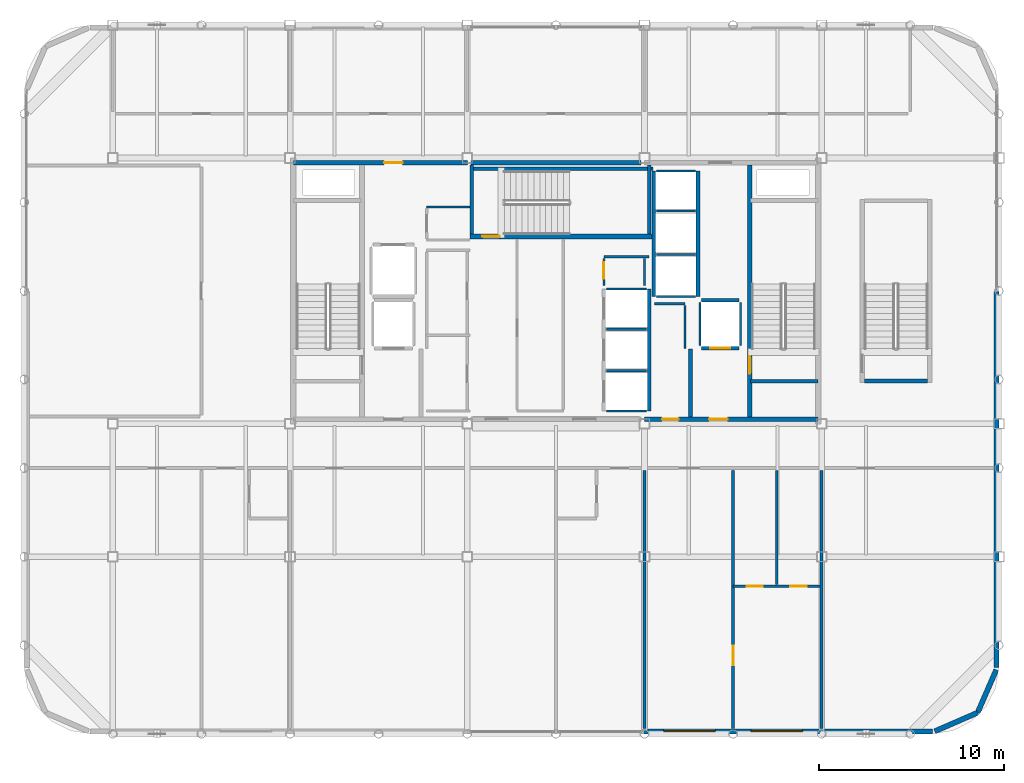
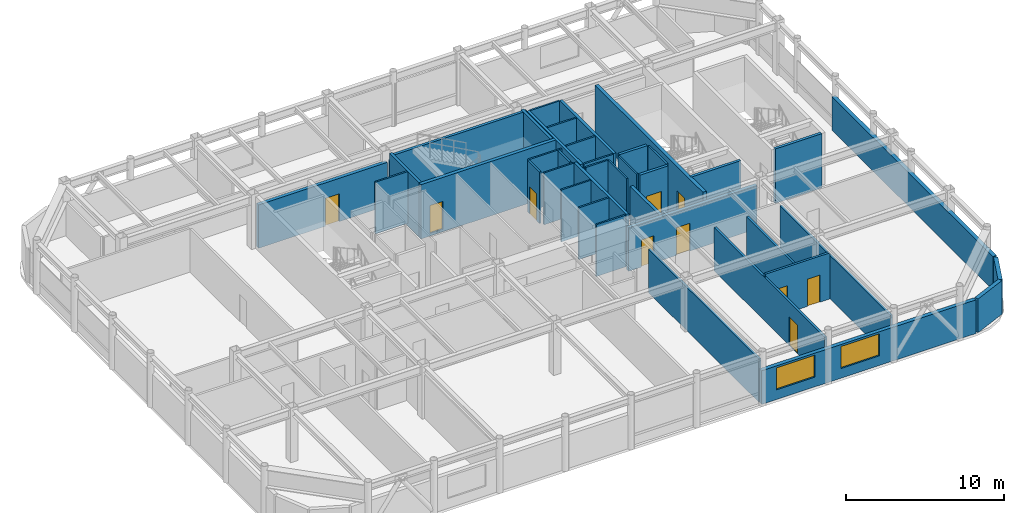
# One storey, part 18 of 21: 41 walls, 10 doors, 2 windows, 12 openings.
"""IFC4 building model written with IfcOpenShell, lengths in metres."""

from ifc_helpers import new_model, si_unit, direction, frame, frame_2d, origin, place, context, subcontext, project, spatial, rectangle, extrude, material, layer, layer_set, type_object, element, fill, save


model = new_model("IFC4")

# Units and contexts
model_context = context("Model", 3, precision=1e-05, world=origin(), true_north=direction((0.0, 1.0)))
body_context = subcontext(model_context, "Body", "Model", "MODEL_VIEW")
ifc_project = project(units=[si_unit("LENGTHUNIT", "METRE"), si_unit("AREAUNIT", "SQUARE_METRE"), si_unit("VOLUMEUNIT", "CUBIC_METRE"), si_unit("PLANEANGLEUNIT", "RADIAN"), si_unit("MASSUNIT", "GRAM", prefix="KILO")], contexts=[model_context])

# Site, building, storey
site_placement = place(None, origin())
site = spatial("IfcSite", under=ifc_project, at=site_placement, CompositionType="ELEMENT")
building_placement = place(site_placement, origin())
building = spatial("IfcBuilding", under=site, at=building_placement, Name="Kallvorn Hotel Tower", CompositionType="ELEMENT")
storey_placement = place(building_placement, frame((0.0, 0.0, 286.39990234375)))
storey = spatial("IfcBuildingStorey", under=building, at=storey_placement, Name="L71", CompositionType="ELEMENT", Elevation=286.39990234375)

# Wall, openings, doors
ifc_material_1 = material(Name="Fire-rated double-layer acoustic gypsum drywall EI 60")
ifc_layer_1 = layer(ifc_material_1, 0.159912109375)
ifc_layer_set_1 = layer_set([ifc_layer_1], Name="WL_DEMISE_160")
wall_type_1 = type_object("IfcWallType", Name="WL_DEMISE_160", PredefinedType="PARTITIONING", material=ifc_layer_set_1)
wall_1_placement = place(storey_placement, frame((9.60009765625, -16.0, 0.0), z_axis=(0.0, 0.0, 1.0), x_axis=(1.0, 0.0, 0.0)))
wall_1 = element("IfcWall", 1, at=wall_1_placement, inside=storey, type_object=wall_type_1, Name="L71 Suite 7103 Ambassador Bedroom Partition", PredefinedType="PARTITIONING", context=body_context, shape_type="SweptSolid", body=[
    extrude(rectangle(XDim=4.719970703125, YDim=0.159912109375, at=frame_2d((2.35986328125, 0.0))), origin(), (0.0, 0.0, 1.0), 3.56005859375),
])
opening_1_placement = place(wall_1_placement, frame((0.75, 0.0, 0.0)))
opening_1 = element("IfcOpeningElement", 2, at=opening_1_placement, cuts=wall_1, Name="Opening BD-I", PredefinedType="OPENING", context=body_context, shape_type="SweptSolid", body=[
    extrude(rectangle(XDim=0.860107421875, YDim=2.10009765625, at=frame_2d((0.43017578125, 1.050048828125))), frame((0.0, 0.094970703125, 0.0), z_axis=(0.0, -1.0, 0.0), x_axis=(1.0, 0.0, 0.0)), (0.0, 0.0, 1.0), 0.18994140625),
])
opening_2_placement = place(wall_1_placement, frame((3.090087890625, 0.0, 0.0)))
opening_2 = element("IfcOpeningElement", 3, at=opening_2_placement, cuts=wall_1, Name="Opening SVD1", PredefinedType="OPENING", context=body_context, shape_type="SweptSolid", body=[
    extrude(rectangle(XDim=0.89990234375, YDim=2.10009765625, at=frame_2d((0.449951171875, 1.050048828125))), frame((0.0, 0.094970703125, 0.0), z_axis=(0.0, -1.0, 0.0), x_axis=(1.0, 0.0, 0.0)), (0.0, 0.0, 1.0), 0.18994140625),
])
ifc_material_2 = material(Name="Solid-core walnut veneer fire-rated timber door leaf", Category="wood")
door_type_1 = type_object("IfcDoorType", Name="DR_BATH_860x2100", OperationType="NOTDEFINED", PredefinedType="DOOR", material=ifc_material_2)
door_1_placement = place(opening_1_placement, origin())
door_1 = element("IfcDoor", 4, at=door_1_placement, inside=storey, type_object=door_type_1, Name="L71 Suite 7103 En-Suite Bathroom Door", OperationType="SINGLE_SWING_RIGHT", OverallHeight=2.10009765625, OverallWidth=0.860107421875, PredefinedType="DOOR", context=body_context, shape_type="SweptSolid", body=[
    extrude(rectangle(XDim=0.860107421875, YDim=2.10009765625, at=frame_2d((0.43017578125, 1.050048828125))), frame((0.0, 0.02490234375, 0.0), z_axis=(0.0, -1.0, 0.0), x_axis=(1.0, 0.0, 0.0)), (0.0, 0.0, 1.0), 0.050048828125),
])
fill(opening_1, door_1)
ifc_material_3 = material(Name="Galvanised painted steel fire-rated door assembly", Category="steel")
door_type_2 = type_object("IfcDoorType", Name="DR_SERV_900x2100", OperationType="NOTDEFINED", PredefinedType="DOOR", material=ifc_material_3)
door_2_placement = place(opening_2_placement, origin())
door_2 = element("IfcDoor", 5, at=door_2_placement, inside=storey, type_object=door_type_2, Name="L71 Suite 7103 Walk-In Dressing Closet Door", OperationType="SINGLE_SWING_RIGHT", OverallHeight=2.10009765625, OverallWidth=0.89990234375, PredefinedType="DOOR", context=body_context, shape_type="SweptSolid", body=[
    extrude(rectangle(XDim=0.89990234375, YDim=2.10009765625, at=frame_2d((0.449951171875, 1.050048828125))), frame((0.0, 0.02490234375, 0.0), z_axis=(0.0, -1.0, 0.0), x_axis=(1.0, 0.0, 0.0)), (0.0, 0.0, 1.0), 0.050048828125),
])
fill(opening_2, door_2)

# Wall
wall_2_placement = place(storey_placement, frame((4.800048828125, -23.7099609375, 0.0), z_axis=(0.0, 0.0, 1.0), x_axis=(0.0, 1.0, 0.0)))
element("IfcWall", 6, at=wall_2_placement, inside=storey, type_object=wall_type_1, Name="L71 Suite 7102 Ambassador Twin Room Partition", PredefinedType="PARTITIONING", context=body_context, shape_type="SweptSolid", body=[
    extrude(rectangle(XDim=13.989990234375, YDim=0.159912109375, at=frame_2d((6.9951171875, 0.0))), origin(), (0.0, 0.0, 1.0), 3.35009765625),
])

# Wall, opening, door
wall_3_placement = place(storey_placement, frame((9.60009765625, -23.7099609375, 0.0), z_axis=(0.0, 0.0, 1.0), x_axis=(0.0, 1.0, 0.0)))
wall_3 = element("IfcWall", 7, at=wall_3_placement, inside=storey, type_object=wall_type_1, Name="L71 Suite 7103 Ambassador Bedroom Partition", PredefinedType="PARTITIONING", context=body_context, shape_type="SweptSolid", body=[
    extrude(rectangle(XDim=13.989990234375, YDim=0.159912109375, at=frame_2d((6.9951171875, 0.0))), origin(), (0.0, 0.0, 1.0), 3.35009765625),
])
opening_3_placement = place(wall_3_placement, frame((3.43505859375, 0.0, 0.0)))
opening_3 = element("IfcOpeningElement", 8, at=opening_3_placement, cuts=wall_3, Name="Opening GD2", PredefinedType="OPENING", context=body_context, shape_type="SweptSolid", body=[
    extrude(rectangle(XDim=1.050048828125, YDim=2.199951171875, at=frame_2d((0.52490234375, 1.10009765625))), frame((0.0, 0.094970703125, 0.0), z_axis=(0.0, -1.0, 0.0), x_axis=(1.0, 0.0, 0.0)), (0.0, 0.0, 1.0), 0.18994140625),
])
ifc_material_4 = material(Name="Solid-core walnut veneer fire-rated timber door leaf", Category="wood")
door_type_3 = type_object("IfcDoorType", Name="DR_SUITE_1050x2200", OperationType="NOTDEFINED", PredefinedType="DOOR", material=ifc_material_4)
door_3_placement = place(opening_3_placement, origin())
door_3 = element("IfcDoor", 9, at=door_3_placement, inside=storey, type_object=door_type_3, Name="L71 Suite 7103 Ambassador Bedroom Door", OperationType="SINGLE_SWING_RIGHT", OverallHeight=2.199951171875, OverallWidth=1.050048828125, PredefinedType="DOOR", context=body_context, shape_type="SweptSolid", body=[
    extrude(rectangle(XDim=1.050048828125, YDim=2.199951171875, at=frame_2d((0.52490234375, 1.10009765625))), frame((0.0, 0.02490234375, 0.0), z_axis=(0.0, -1.0, 0.0), x_axis=(1.0, 0.0, 0.0)), (0.0, 0.0, 1.0), 0.050048828125),
])
fill(opening_3, door_3)

# Walls
wall_4_placement = place(storey_placement, frame((14.39990234375, -23.7099609375, 0.0), z_axis=(0.0, 0.0, 1.0), x_axis=(0.0, 1.0, 0.0)))
element("IfcWall", 10, at=wall_4_placement, inside=storey, type_object=wall_type_1, Name="L71 Suite 7103 Ambassador Bedroom Partition", PredefinedType="PARTITIONING", context=body_context, shape_type="SweptSolid", body=[
    extrude(rectangle(XDim=13.989990234375, YDim=0.159912109375, at=frame_2d((6.9951171875, 0.0))), origin(), (0.0, 0.0, 1.0), 3.35009765625),
])
ifc_material_5 = material(Name="Precast basalt-clad insulated concrete wall C40/50", Category="masonry")
ifc_layer_2 = layer(ifc_material_5, 0.280029296875)
ifc_layer_set_2 = layer_set([ifc_layer_2], Name="WL_EXT_LOGGIA_280")
wall_type_2 = type_object("IfcWallType", Name="WL_EXT_LOGGIA_280", PredefinedType="SOLIDWALL", material=ifc_layer_set_2)
for number, where, z_axis, x_axis, name in (
    (11, (20.520751953125, -23.85791015625, 0.0), (0.0, 0.0, 1.0), (0.917076177656, 0.398712031894, 0.0), "L71 Rounded Corner Exterior Wall SE1"),
    (12, (22.8466796875, -22.8466796875, 0.0), (0.0, 0.0, 1.0), (0.398712031894, 0.917076177656, 0.0), "L71 Rounded Corner Exterior Wall SE2"),
):
    element("IfcWall", number, at=place(storey_placement, frame(where, z_axis=z_axis, x_axis=x_axis)), inside=storey, type_object=wall_type_2, Name=name, PredefinedType="SOLIDWALL", context=body_context, shape_type="SweptSolid", body=[
        extrude(rectangle(XDim=2.5361328125, YDim=0.280029296875, at=frame_2d((1.26806640625, 0.0))), origin(), (0.0, 0.0, 1.0), 2.60009765625),
    ])

# Wall, openings, windows
wall_5_placement = place(storey_placement, frame((4.75, -23.860107421875, 0.0), z_axis=(0.0, 0.0, 1.0), x_axis=(1.0, 0.0, 0.0)))
wall_5 = element("IfcWall", 13, at=wall_5_placement, inside=storey, type_object=wall_type_2, Name="L71 Exterior Envelope Wall EW-L71-SE", PredefinedType="SOLIDWALL", context=body_context, shape_type="SweptSolid", body=[
    extrude(rectangle(XDim=15.64990234375, YDim=0.280029296875, at=frame_2d((7.824951171875, 0.0))), origin(), (0.0, 0.0, 1.0), 2.60009765625),
])
opening_4_placement = place(wall_5_placement, frame((1.090087890625, 0.0, 0.75)))
opening_4 = element("IfcOpeningElement", 14, at=opening_4_placement, cuts=wall_5, Name="Opening W08A", PredefinedType="OPENING", context=body_context, shape_type="SweptSolid", body=[
    extrude(rectangle(XDim=2.800048828125, YDim=1.699951171875, at=frame_2d((1.39990234375, 0.85009765625))), frame((0.0, 0.155029296875, 0.0), z_axis=(0.0, -1.0, 0.0), x_axis=(1.0, 0.0, 0.0)), (0.0, 0.0, 1.0), 0.31005859375),
])
opening_5_placement = place(wall_5_placement, frame((5.81005859375, 0.0, 0.75)))
opening_5 = element("IfcOpeningElement", 15, at=opening_5_placement, cuts=wall_5, Name="Opening W08A", PredefinedType="OPENING", context=body_context, shape_type="SweptSolid", body=[
    extrude(rectangle(XDim=2.800048828125, YDim=1.699951171875, at=frame_2d((1.39990234375, 0.85009765625))), frame((0.0, 0.155029296875, 0.0), z_axis=(0.0, -1.0, 0.0), x_axis=(1.0, 0.0, 0.0)), (0.0, 0.0, 1.0), 0.31005859375),
])
ifc_material_6 = material(Name="Triple-glazed low-e acoustic solar-control dark glass", Category="glass")
window_type = type_object("IfcWindowType", Name="WN_SUM_2800x1700", PartitioningType="SINGLE_PANEL", PredefinedType="WINDOW", material=ifc_material_6)
window_1_placement = place(opening_4_placement, origin())
window_1 = element("IfcWindow", 16, at=window_1_placement, inside=storey, type_object=window_type, Name="L71 Guestroom Exterior Window 02", OverallHeight=1.699951171875, OverallWidth=2.800048828125, PartitioningType="SINGLE_PANEL", PredefinedType="WINDOW", context=body_context, shape_type="SweptSolid", body=[
    extrude(rectangle(XDim=2.800048828125, YDim=1.699951171875, at=frame_2d((1.39990234375, 0.85009765625))), frame((0.0, 0.030029296875, 0.0), z_axis=(0.0, -1.0, 0.0), x_axis=(1.0, 0.0, 0.0)), (0.0, 0.0, 1.0), 0.06005859375),
])
fill(opening_4, window_1)
window_2_placement = place(opening_5_placement, origin())
window_2 = element("IfcWindow", 17, at=window_2_placement, inside=storey, type_object=window_type, Name="L71 Guestroom Exterior Window 03", OverallHeight=1.699951171875, OverallWidth=2.800048828125, PartitioningType="SINGLE_PANEL", PredefinedType="WINDOW", context=body_context, shape_type="SweptSolid", body=[
    extrude(rectangle(XDim=2.800048828125, YDim=1.699951171875, at=frame_2d((1.39990234375, 0.85009765625))), frame((0.0, 0.030029296875, 0.0), z_axis=(0.0, -1.0, 0.0), x_axis=(1.0, 0.0, 0.0)), (0.0, 0.0, 1.0), 0.06005859375),
])
fill(opening_5, window_2)

# Walls
wall_6_placement = place(storey_placement, frame((23.860107421875, -20.39990234375, 0.0), z_axis=(0.0, 0.0, 1.0), x_axis=(0.0, 1.0, 0.0)))
element("IfcWall", 18, at=wall_6_placement, inside=storey, type_object=wall_type_2, Name="L71 Exterior Envelope Wall EW-L71-ES", PredefinedType="SOLIDWALL", context=body_context, shape_type="SweptSolid", body=[
    extrude(rectangle(XDim=20.3798828125, YDim=0.280029296875, at=frame_2d((10.18994140625, 0.0))), origin(), (0.0, 0.0, 1.0), 2.60009765625),
])
ifc_material_7 = material(Name="Concrete C40/50", Category="concrete")
ifc_layer_3 = layer(ifc_material_7, 0.219970703125)
ifc_layer_set_3 = layer_set([ifc_layer_3], Name="WL_FFL_220")
wall_type_3 = type_object("IfcWallType", Name="WL_FFL_220", PredefinedType="SOLIDWALL", material=ifc_layer_set_3)
wall_7_placement = place(storey_placement, frame((7.300048828125, -6.820068359375, 0.0), z_axis=(0.0, 0.0, 1.0), x_axis=(0.0, 1.0, 0.0)))
element("IfcWall", 19, at=wall_7_placement, inside=storey, type_object=wall_type_3, Name="L71 Firefighting Lobby East Divider Wall", PredefinedType="SOLIDWALL", context=body_context, shape_type="SweptSolid", body=[
    extrude(rectangle(XDim=3.670166015625, YDim=0.219970703125, at=frame_2d((1.8349609375, 0.0))), origin(), (0.0, 0.0, 1.0), 3.35009765625),
])
ifc_material_8 = material(Name="Concrete C40/50", Category="concrete")
ifc_layer_4 = layer(ifc_material_8, 0.199951171875)
ifc_layer_set_4 = layer_set([ifc_layer_4], Name="WL_HOIST_200")
wall_type_4 = type_object("IfcWallType", Name="WL_HOIST_200", PredefinedType="SOLIDWALL", material=ifc_layer_set_4)
wall_8_placement = place(storey_placement, frame((10.550048828125, -4.89990234375, -0.199951171875), z_axis=(0.0, 0.0, 1.0), x_axis=(1.0, 0.0, 0.0)))
element("IfcWall", 20, at=wall_8_placement, inside=storey, type_object=wall_type_4, Name="L71 Stair ST2 South Wall", PredefinedType="SOLIDWALL", context=body_context, shape_type="SweptSolid", body=[
    extrude(rectangle(XDim=3.64990234375, YDim=0.199951171875, at=frame_2d((1.824951171875, 0.0))), origin(), (0.0, 0.0, 1.0), 4.199951171875),
])
wall_9_placement = place(storey_placement, frame((-4.64990234375, 6.610107421875, -0.199951171875), z_axis=(0.0, 0.0, 1.0), x_axis=(1.0, 0.0, 0.0)))
element("IfcWall", 21, at=wall_9_placement, inside=storey, type_object=wall_type_4, Name="L71 Stair ST3 Shaft North Wall", PredefinedType="SOLIDWALL", context=body_context, shape_type="SweptSolid", body=[
    extrude(rectangle(XDim=9.89990234375, YDim=0.199951171875, at=frame_2d((4.949951171875, 0.0))), origin(), (0.0, 0.0, 1.0), 4.199951171875),
])
for number, where, z_axis, x_axis, name in (
    (22, (-4.550048828125, 3.080078125, -0.199951171875), (0.0, 0.0, 1.0), (0.0, 1.0, 0.0), "L71 Stair ST3 West Wall"),
    (23, (5.06005859375, 3.080078125, -0.199951171875), (0.0, 0.0, 1.0), (0.0, 1.0, 0.0), "L71 Stair ST3 East Wall"),
):
    element("IfcWall", number, at=place(storey_placement, frame(where, z_axis=z_axis, x_axis=x_axis)), inside=storey, type_object=wall_type_4, Name=name, PredefinedType="SOLIDWALL", context=body_context, shape_type="SweptSolid", body=[
        extrude(rectangle(XDim=3.739990234375, YDim=0.199951171875, at=frame_2d((1.8701171875, 0.0))), origin(), (0.0, 0.0, 1.0), 4.199951171875),
    ])
wall_10_placement = place(storey_placement, frame((16.72998046875, -4.8798828125, -0.199951171875), z_axis=(0.0, 0.0, 1.0), x_axis=(1.0, 0.0, 0.0)))
element("IfcWall", 24, at=wall_10_placement, inside=storey, type_object=wall_type_4, Name="L71 Summit Exit Stair ST4 South Wall", PredefinedType="SOLIDWALL", context=body_context, shape_type="SweptSolid", body=[
    extrude(rectangle(XDim=3.39990234375, YDim=0.199951171875, at=frame_2d((1.699951171875, 0.0))), origin(), (0.0, 0.0, 1.0), 4.199951171875),
])
wall_11_placement = place(storey_placement, frame((5.050048828125, -6.5, 0.0), z_axis=(0.0, 0.0, 1.0), x_axis=(0.0, 1.0, 0.0)))
element("IfcWall", 25, at=wall_11_placement, inside=storey, type_object=wall_type_4, Name="L71 Lift Bank B3A Rear Shaft Wall", PredefinedType="SOLIDWALL", context=body_context, shape_type="SweptSolid", body=[
    extrude(rectangle(XDim=6.60009765625, YDim=0.199951171875, at=frame_2d((3.300048828125, 0.0))), origin(), (0.0, 0.0, 1.0), 4.0),
])
for number, where, z_axis, x_axis, name in (
    (26, (7.699951171875, -0.300048828125, 0.0), (0.0, 0.0, 1.0), (0.0, 1.0, 0.0), "L71 Lift Bank OBS Landing Wall"),
    (27, (5.300048828125, -0.300048828125, 0.0), (0.0, 0.0, 1.0), (0.0, 1.0, 0.0), "L71 Lift Bank OBS Rear Shaft Wall"),
):
    element("IfcWall", number, at=place(storey_placement, frame(where, z_axis=z_axis, x_axis=x_axis)), inside=storey, type_object=wall_type_4, Name=name, PredefinedType="SOLIDWALL", context=body_context, shape_type="SweptSolid", body=[
        extrude(rectangle(XDim=6.800048828125, YDim=0.199951171875, at=frame_2d((3.39990234375, 0.0))), origin(), (0.0, 0.0, 1.0), 4.0),
    ])

# Wall, opening, door
wall_12_placement = place(storey_placement, frame((7.8798828125, -3.10009765625, 0.0), z_axis=(0.0, 0.0, 1.0), x_axis=(1.0, 0.0, 0.0)))
wall_12 = element("IfcWall", 28, at=wall_12_placement, inside=storey, type_object=wall_type_4, Name="L71 FL-2 Landing Wall", PredefinedType="SOLIDWALL", context=body_context, shape_type="SweptSolid", body=[
    extrude(rectangle(XDim=2.0400390625, YDim=0.199951171875, at=frame_2d((1.02001953125, 0.0))), origin(), (0.0, 0.0, 1.0), 4.0),
])
opening_6_placement = place(wall_12_placement, frame((0.469970703125, 0.0, 0.0)))
opening_6 = element("IfcOpeningElement", 29, at=opening_6_placement, cuts=wall_12, Name="Opening LD-FL-2", PredefinedType="OPENING", context=body_context, shape_type="SweptSolid", body=[
    extrude(rectangle(XDim=1.10009765625, YDim=2.199951171875, at=frame_2d((0.550048828125, 1.10009765625))), frame((0.0, 0.114990234375, 0.0), z_axis=(0.0, -1.0, 0.0), x_axis=(1.0, 0.0, 0.0)), (0.0, 0.0, 1.0), 0.22998046875),
])
ifc_material_9 = material(Name="Brushed stainless-steel automatic sliding lift landing door", Category="steel")
door_type_4 = type_object("IfcDoorType", Name="LD_PASS_1100x2200", OperationType="SLIDING_TO_LEFT", PredefinedType="DOOR", material=ifc_material_9)
door_4_placement = place(opening_6_placement, origin())
door_4 = element("IfcDoor", 30, at=door_4_placement, inside=storey, type_object=door_type_4, Name="L71 Lift Landing Sliding Door LD-FL-2", OperationType="SLIDING_TO_LEFT", OverallHeight=2.199951171875, OverallWidth=1.10009765625, PredefinedType="DOOR", context=body_context, shape_type="SweptSolid", body=[
    extrude(rectangle(XDim=1.10009765625, YDim=2.199951171875, at=frame_2d((0.550048828125, 1.10009765625))), frame((0.0, 0.02490234375, 0.0), z_axis=(0.0, -1.0, 0.0), x_axis=(1.0, 0.0, 0.0)), (0.0, 0.0, 1.0), 0.050048828125),
])
fill(opening_6, door_4)

# Walls
wall_13_placement = place(storey_placement, frame((7.8798828125, -0.5, 0.0), z_axis=(0.0, 0.0, 1.0), x_axis=(1.0, 0.0, 0.0)))
element("IfcWall", 31, at=wall_13_placement, inside=storey, type_object=wall_type_4, Name="L71 FL-2 Rear Shaft Wall", PredefinedType="SOLIDWALL", context=body_context, shape_type="SweptSolid", body=[
    extrude(rectangle(XDim=2.0400390625, YDim=0.199951171875, at=frame_2d((1.02001953125, 0.0))), origin(), (0.0, 0.0, 1.0), 4.0),
])
ifc_material_10 = material(Name="Fire-rated double-layer acoustic gypsum drywall EI 60")
ifc_layer_5 = layer(ifc_material_10, 0.1201171875)
ifc_layer_set_5 = layer_set([ifc_layer_5], Name="WL_INT_120")
wall_type_5 = type_object("IfcWallType", Name="WL_INT_120", PredefinedType="PARTITIONING", material=ifc_layer_set_5)
for number, where, z_axis, x_axis, name in (
    (32, (2.739990234375, -6.5, 0.0), (0.0, 0.0, 1.0), (1.0, 0.0, 0.0), "L71 Lift Bank B3A South Closure Wall"),
    (33, (2.739990234375, -4.324951171875, 0.0), (0.0, 0.0, 1.0), (1.0, 0.0, 0.0), "L71 PL-09 Hoistway Divider"),
    (34, (2.739990234375, -2.074951171875, 0.0), (0.0, 0.0, 1.0), (1.0, 0.0, 0.0), "L71 PL-10 Hoistway Divider"),
    (35, (2.739990234375, 0.10009765625, 0.0), (0.0, 0.0, 1.0), (1.0, 0.0, 0.0), "L71 PL-11 Hoistway Divider"),
):
    element("IfcWall", number, at=place(storey_placement, frame(where, z_axis=z_axis, x_axis=x_axis)), inside=storey, type_object=wall_type_5, Name=name, PredefinedType="PARTITIONING", context=body_context, shape_type="SweptSolid", body=[
        extrude(rectangle(XDim=2.169921875, YDim=0.1201171875, at=frame_2d((1.0849609375, 0.0))), origin(), (0.0, 0.0, 1.0), 4.0),
    ])
for number, where, z_axis, x_axis, name in (
    (36, (5.43994140625, -0.300048828125, 0.0), (0.0, 0.0, 1.0), (1.0, 0.0, 0.0), "L71 Lift Bank OBS South Closure Wall"),
    (37, (5.43994140625, 1.97509765625, 0.0), (0.0, 0.0, 1.0), (1.0, 0.0, 0.0), "L71 OB-01 Hoistway Divider"),
    (38, (5.43994140625, 4.324951171875, 0.0), (0.0, 0.0, 1.0), (1.0, 0.0, 0.0), "L71 OB-02 Hoistway Divider"),
    (39, (5.43994140625, 6.5, 0.0), (0.0, 0.0, 1.0), (1.0, 0.0, 0.0), "L71 OB-03 Hoistway Divider"),
):
    element("IfcWall", number, at=place(storey_placement, frame(where, z_axis=z_axis, x_axis=x_axis)), inside=storey, type_object=wall_type_5, Name=name, PredefinedType="PARTITIONING", context=body_context, shape_type="SweptSolid", body=[
        extrude(rectangle(XDim=2.1201171875, YDim=0.1201171875, at=frame_2d((1.06005859375, 0.0))), origin(), (0.0, 0.0, 1.0), 4.0),
    ])
for number, where, z_axis, x_axis, name in (
    (40, (7.800048828125, -2.9599609375, 0.0), (0.0, 0.0, 1.0), (0.0, 1.0, 0.0), "L71 FL-2 West Shaft Wall"),
    (41, (10.0, -2.9599609375, 0.0), (0.0, 0.0, 1.0), (0.0, 1.0, 0.0), "L71 FL-2 East Shaft Wall"),
):
    element("IfcWall", number, at=place(storey_placement, frame(where, z_axis=z_axis, x_axis=x_axis)), inside=storey, type_object=wall_type_5, Name=name, PredefinedType="PARTITIONING", context=body_context, shape_type="SweptSolid", body=[
        extrude(rectangle(XDim=2.320068359375, YDim=0.1201171875, at=frame_2d((1.16015625, 0.0))), origin(), (0.0, 0.0, 1.0), 4.0),
    ])
wall_14_placement = place(storey_placement, frame((5.35009765625, -0.699951171875, 0.0), z_axis=(0.0, 0.0, 1.0), x_axis=(1.0, 0.0, 0.0)))
element("IfcWall", 42, at=wall_14_placement, inside=storey, type_object=wall_type_5, Name="L71 Core Utility and Meter Room Partition", PredefinedType="PARTITIONING", context=body_context, shape_type="SweptSolid", body=[
    extrude(rectangle(XDim=1.64990234375, YDim=0.1201171875, at=frame_2d((0.824951171875, 0.0))), origin(), (0.0, 0.0, 1.0), 4.0),
])
wall_15_placement = place(storey_placement, frame((2.60009765625, 1.85009765625, 0.0), z_axis=(0.0, 0.0, 1.0), x_axis=(1.0, 0.0, 0.0)))
element("IfcWall", 43, at=wall_15_placement, inside=storey, type_object=wall_type_5, Name="L71 East Core Ice Pantry Partition", PredefinedType="PARTITIONING", context=body_context, shape_type="SweptSolid", body=[
    extrude(rectangle(XDim=2.449951171875, YDim=0.1201171875, at=frame_2d((1.22509765625, 0.0))), origin(), (0.0, 0.0, 1.0), 4.0),
])
wall_16_placement = place(storey_placement, frame((-7.0, 4.550048828125, 0.0), z_axis=(0.0, 0.0, 1.0), x_axis=(1.0, 0.0, 0.0)))
element("IfcWall", 44, at=wall_16_placement, inside=storey, type_object=wall_type_5, Name="L71 Recaptured North Valet Closet Partition", PredefinedType="PARTITIONING", context=body_context, shape_type="SweptSolid", body=[
    extrude(rectangle(XDim=2.35009765625, YDim=0.1201171875, at=frame_2d((1.175048828125, 0.0))), origin(), (0.0, 0.0, 1.0), 4.0),
])

# Wall, opening, door
wall_17_placement = place(storey_placement, frame((2.60009765625, 0.300048828125, 0.0), z_axis=(0.0, 0.0, 1.0), x_axis=(0.0, 1.0, 0.0)))
wall_17 = element("IfcWall", 45, at=wall_17_placement, inside=storey, type_object=wall_type_5, Name="L71 East Core Ice Pantry Partition", PredefinedType="PARTITIONING", context=body_context, shape_type="SweptSolid", body=[
    extrude(rectangle(XDim=1.46484375, YDim=0.1201171875, at=frame_2d((0.732421875, 0.0))), origin(), (0.0, 0.0, 1.0), 4.0),
])
opening_7_placement = place(wall_17_placement, frame((0.344970703125, 0.0, 0.0)))
opening_7 = element("IfcOpeningElement", 46, at=opening_7_placement, cuts=wall_17, Name="Opening SVD1", PredefinedType="OPENING", context=body_context, shape_type="SweptSolid", body=[
    extrude(rectangle(XDim=0.89990234375, YDim=2.10009765625, at=frame_2d((0.449951171875, 1.050048828125))), frame((0.0, 0.074951171875, 0.0), z_axis=(0.0, -1.0, 0.0), x_axis=(1.0, 0.0, 0.0)), (0.0, 0.0, 1.0), 0.150146484375),
])
door_5_placement = place(opening_7_placement, origin())
door_5 = element("IfcDoor", 47, at=door_5_placement, inside=storey, type_object=door_type_2, Name="L71 East Core Ice Pantry Door", OperationType="SINGLE_SWING_RIGHT", OverallHeight=2.10009765625, OverallWidth=0.89990234375, PredefinedType="DOOR", context=body_context, shape_type="SweptSolid", body=[
    extrude(rectangle(XDim=0.89990234375, YDim=2.10009765625, at=frame_2d((0.449951171875, 1.050048828125))), frame((0.0, 0.02490234375, 0.0), z_axis=(0.0, -1.0, 0.0), x_axis=(1.0, 0.0, 0.0)), (0.0, 0.0, 1.0), 0.050048828125),
])
fill(opening_7, door_5)

# Walls
wall_18_placement = place(storey_placement, frame((4.800048828125, 0.300048828125, 0.0), z_axis=(0.0, 0.0, 1.0), x_axis=(0.0, 1.0, 0.0)))
element("IfcWall", 48, at=wall_18_placement, inside=storey, type_object=wall_type_5, Name="L71 East Core Ice Pantry Partition", PredefinedType="PARTITIONING", context=body_context, shape_type="SweptSolid", body=[
    extrude(rectangle(XDim=1.46484375, YDim=0.1201171875, at=frame_2d((0.732421875, 0.0))), origin(), (0.0, 0.0, 1.0), 4.0),
])
wall_19_placement = place(storey_placement, frame((7.0, -3.110107421875, 0.0), z_axis=(0.0, 0.0, 1.0), x_axis=(0.0, 1.0, 0.0)))
element("IfcWall", 49, at=wall_19_placement, inside=storey, type_object=wall_type_5, Name="L71 Core Utility and Meter Room Partition", PredefinedType="PARTITIONING", context=body_context, shape_type="SweptSolid", body=[
    extrude(rectangle(XDim=2.3251953125, YDim=0.1201171875, at=frame_2d((1.16259765625, 0.0))), origin(), (0.0, 0.0, 1.0), 4.0),
])
ifc_material_11 = material(Name="Fire-rated double-layer acoustic gypsum drywall EI 60")
ifc_layer_6 = layer(ifc_material_11, 0.14990234375)
ifc_layer_set_6 = layer_set([ifc_layer_6], Name="WL_PART_150")
wall_type_6 = type_object("IfcWallType", Name="WL_PART_150", PredefinedType="PARTITIONING", material=ifc_layer_set_6)
wall_20_placement = place(storey_placement, frame((11.9599609375, -15.9150390625, 0.0), z_axis=(0.0, 0.0, 1.0), x_axis=(0.0, 1.0, 0.0)))
element("IfcWall", 50, at=wall_20_placement, inside=storey, type_object=wall_type_6, Name="L71 Suite 7103 Walk-In Dressing Closet Partition", PredefinedType="PARTITIONING", context=body_context, shape_type="SweptSolid", body=[
    extrude(rectangle(XDim=6.195068359375, YDim=0.14990234375, at=frame_2d((3.09765625, 0.0))), origin(), (0.0, 0.0, 1.0), 3.35009765625),
])

# Wall, openings, doors
ifc_material_12 = material(Name="Concrete C40/50", Category="concrete")
ifc_layer_7 = layer(ifc_material_12, 0.25)
ifc_layer_set_7 = layer_set([ifc_layer_7], Name="WL_SHAFT_250")
wall_type_7 = type_object("IfcWallType", Name="WL_SHAFT_250", PredefinedType="SOLIDWALL", material=ifc_layer_set_7)
wall_21_placement = place(storey_placement, frame((4.800048828125, -6.949951171875, 0.0), z_axis=(0.0, 0.0, 1.0), x_axis=(1.0, 0.0, 0.0)))
wall_21 = element("IfcWall", 51, at=wall_21_placement, inside=storey, type_object=wall_type_7, Name="L71 Core South-East Wall", PredefinedType="SOLIDWALL", context=body_context, shape_type="SweptSolid", body=[
    extrude(rectangle(XDim=9.39990234375, YDim=0.25, at=frame_2d((4.699951171875, 0.0))), origin(), (0.0, 0.0, 1.0), 3.35009765625),
])
opening_8_placement = place(wall_21_placement, frame((3.5, 0.0, 0.0)))
opening_8 = element("IfcOpeningElement", 52, at=opening_8_placement, cuts=wall_21, Name="Opening FD1", PredefinedType="OPENING", context=body_context, shape_type="SweptSolid", body=[
    extrude(rectangle(XDim=1.0, YDim=2.14990234375, at=frame_2d((0.5, 1.074951171875))), frame((0.0, 0.139892578125, 0.0), z_axis=(0.0, -1.0, 0.0), x_axis=(1.0, 0.0, 0.0)), (0.0, 0.0, 1.0), 0.280029296875),
])
opening_9_placement = place(wall_21_placement, frame((0.949951171875, 0.0, 0.0)))
opening_9 = element("IfcOpeningElement", 53, at=opening_9_placement, cuts=wall_21, Name="Opening SVD1", PredefinedType="OPENING", context=body_context, shape_type="SweptSolid", body=[
    extrude(rectangle(XDim=0.89990234375, YDim=2.10009765625, at=frame_2d((0.449951171875, 1.050048828125))), frame((0.0, 0.139892578125, 0.0), z_axis=(0.0, -1.0, 0.0), x_axis=(1.0, 0.0, 0.0)), (0.0, 0.0, 1.0), 0.280029296875),
])
ifc_material_13 = material(Name="Galvanised painted steel fire-rated door assembly", Category="steel")
door_type_5 = type_object("IfcDoorType", Name="DR_FFL_1000x2150", OperationType="NOTDEFINED", PredefinedType="DOOR", material=ifc_material_13)
door_6_placement = place(opening_8_placement, origin())
door_6 = element("IfcDoor", 54, at=door_6_placement, inside=storey, type_object=door_type_5, Name="L71 Firefighting Lobby East Door", OperationType="SINGLE_SWING_RIGHT", OverallHeight=2.14990234375, OverallWidth=1.0, PredefinedType="DOOR", context=body_context, shape_type="SweptSolid", body=[
    extrude(rectangle(XDim=1.0, YDim=2.14990234375, at=frame_2d((0.5, 1.074951171875))), frame((0.0, 0.02490234375, 0.0), z_axis=(0.0, -1.0, 0.0), x_axis=(1.0, 0.0, 0.0)), (0.0, 0.0, 1.0), 0.050048828125),
])
fill(opening_8, door_6)
door_7_placement = place(opening_9_placement, origin())
door_7 = element("IfcDoor", 55, at=door_7_placement, inside=storey, type_object=door_type_2, Name="L71 Core Utility and Meter Room Door", OperationType="SINGLE_SWING_RIGHT", OverallHeight=2.10009765625, OverallWidth=0.89990234375, PredefinedType="DOOR", context=body_context, shape_type="SweptSolid", body=[
    extrude(rectangle(XDim=0.89990234375, YDim=2.10009765625, at=frame_2d((0.449951171875, 1.050048828125))), frame((0.0, 0.02490234375, 0.0), z_axis=(0.0, -1.0, 0.0), x_axis=(1.0, 0.0, 0.0)), (0.0, 0.0, 1.0), 0.050048828125),
])
fill(opening_9, door_7)

# Wall, opening, door
wall_22_placement = place(storey_placement, frame((-14.199951171875, 6.949951171875, 0.0), z_axis=(0.0, 0.0, 1.0), x_axis=(1.0, 0.0, 0.0)))
wall_22 = element("IfcWall", 56, at=wall_22_placement, inside=storey, type_object=wall_type_7, Name="L71 Core North-West Wall", PredefinedType="SOLIDWALL", context=body_context, shape_type="SweptSolid", body=[
    extrude(rectangle(XDim=9.39990234375, YDim=0.25, at=frame_2d((4.699951171875, 0.0))), origin(), (0.0, 0.0, 1.0), 3.35009765625),
])
opening_10_placement = place(wall_22_placement, frame((4.89990234375, 0.0, 0.0)))
opening_10 = element("IfcOpeningElement", 57, at=opening_10_placement, cuts=wall_22, Name="Opening FD1", PredefinedType="OPENING", context=body_context, shape_type="SweptSolid", body=[
    extrude(rectangle(XDim=1.0, YDim=2.14990234375, at=frame_2d((0.5, 1.074951171875))), frame((0.0, 0.139892578125, 0.0), z_axis=(0.0, -1.0, 0.0), x_axis=(1.0, 0.0, 0.0)), (0.0, 0.0, 1.0), 0.280029296875),
])
door_8_placement = place(opening_10_placement, origin())
door_8 = element("IfcDoor", 58, at=door_8_placement, inside=storey, type_object=door_type_5, Name="L71 Service Lift Lobby Door", OperationType="SINGLE_SWING_RIGHT", OverallHeight=2.14990234375, OverallWidth=1.0, PredefinedType="DOOR", context=body_context, shape_type="SweptSolid", body=[
    extrude(rectangle(XDim=1.0, YDim=2.14990234375, at=frame_2d((0.5, 1.074951171875))), frame((0.0, 0.02490234375, 0.0), z_axis=(0.0, -1.0, 0.0), x_axis=(1.0, 0.0, 0.0)), (0.0, 0.0, 1.0), 0.050048828125),
])
fill(opening_10, door_8)

# Wall
wall_23_placement = place(storey_placement, frame((-4.60009765625, 6.949951171875, 0.0), z_axis=(0.0, 0.0, 1.0), x_axis=(1.0, 0.0, 0.0)))
element("IfcWall", 59, at=wall_23_placement, inside=storey, type_object=wall_type_7, Name="L71 Core North-Central Wall", PredefinedType="SOLIDWALL", context=body_context, shape_type="SweptSolid", body=[
    extrude(rectangle(XDim=9.2001953125, YDim=0.25, at=frame_2d((4.60009765625, 0.0))), origin(), (0.0, 0.0, 1.0), 3.35009765625),
])

# Wall, opening, door
wall_24_placement = place(storey_placement, frame((10.5, -6.820068359375, -0.199951171875), z_axis=(0.0, 0.0, 1.0), x_axis=(0.0, 1.0, 0.0)))
wall_24 = element("IfcWall", 60, at=wall_24_placement, inside=storey, type_object=wall_type_7, Name="L71 Stair ST2 Shaft Wall", PredefinedType="SOLIDWALL", context=body_context, shape_type="SweptSolid", body=[
    extrude(rectangle(XDim=13.64013671875, YDim=0.25, at=frame_2d((6.820068359375, 0.0))), origin(), (0.0, 0.0, 1.0), 4.199951171875),
])
opening_11_placement = place(wall_24_placement, frame((2.320068359375, 0.0, 0.199951171875)))
opening_11 = element("IfcOpeningElement", 61, at=opening_11_placement, cuts=wall_24, Name="Opening SD1", PredefinedType="OPENING", context=body_context, shape_type="SweptSolid", body=[
    extrude(rectangle(XDim=0.949951171875, YDim=2.14990234375, at=frame_2d((0.47509765625, 1.074951171875))), frame((0.0, 0.139892578125, 0.0), z_axis=(0.0, -1.0, 0.0), x_axis=(1.0, 0.0, 0.0)), (0.0, 0.0, 1.0), 0.280029296875),
])
ifc_material_14 = material(Name="Galvanised painted steel fire-rated door assembly", Category="steel")
door_type_6 = type_object("IfcDoorType", Name="DR_STAIR_950x2150", OperationType="NOTDEFINED", PredefinedType="DOOR", material=ifc_material_14)
door_9_placement = place(opening_11_placement, origin())
door_9 = element("IfcDoor", 62, at=door_9_placement, inside=storey, type_object=door_type_6, Name="L71 Exit Stair ST2 Fire Door", OperationType="SINGLE_SWING_LEFT", OverallHeight=2.14990234375, OverallWidth=0.949951171875, PredefinedType="DOOR", context=body_context, shape_type="SweptSolid", body=[
    extrude(rectangle(XDim=0.949951171875, YDim=2.14990234375, at=frame_2d((0.47509765625, 1.074951171875))), frame((0.0, 0.02490234375, 0.0), z_axis=(0.0, -1.0, 0.0), x_axis=(1.0, 0.0, 0.0)), (0.0, 0.0, 1.0), 0.050048828125),
])
fill(opening_11, door_9)

wall_25_placement = place(storey_placement, frame((-4.64990234375, 2.949951171875, -0.199951171875), z_axis=(0.0, 0.0, 1.0), x_axis=(1.0, 0.0, 0.0)))
wall_25 = element("IfcWall", 63, at=wall_25_placement, inside=storey, type_object=wall_type_7, Name="L71 Stair ST3 Shaft South Wall", PredefinedType="SOLIDWALL", context=body_context, shape_type="SweptSolid", body=[
    extrude(rectangle(XDim=9.89990234375, YDim=0.25, at=frame_2d((4.949951171875, 0.0))), origin(), (0.0, 0.0, 1.0), 4.199951171875),
])
opening_12_placement = place(wall_25_placement, frame((0.64990234375, 0.0, 0.199951171875)))
opening_12 = element("IfcOpeningElement", 64, at=opening_12_placement, cuts=wall_25, Name="Opening SD1", PredefinedType="OPENING", context=body_context, shape_type="SweptSolid", body=[
    extrude(rectangle(XDim=0.949951171875, YDim=2.14990234375, at=frame_2d((0.47509765625, 1.074951171875))), frame((0.0, 0.139892578125, 0.0), z_axis=(0.0, -1.0, 0.0), x_axis=(1.0, 0.0, 0.0)), (0.0, 0.0, 1.0), 0.280029296875),
])
door_10_placement = place(opening_12_placement, origin())
door_10 = element("IfcDoor", 65, at=door_10_placement, inside=storey, type_object=door_type_6, Name="L71 Exit Stair ST3 Fire Door", OperationType="SINGLE_SWING_RIGHT", OverallHeight=2.14990234375, OverallWidth=0.949951171875, PredefinedType="DOOR", context=body_context, shape_type="SweptSolid", body=[
    extrude(rectangle(XDim=0.949951171875, YDim=2.14990234375, at=frame_2d((0.47509765625, 1.074951171875))), frame((0.0, 0.02490234375, 0.0), z_axis=(0.0, -1.0, 0.0), x_axis=(1.0, 0.0, 0.0)), (0.0, 0.0, 1.0), 0.050048828125),
])
fill(opening_12, door_10)

save(model, "model.ifc")
